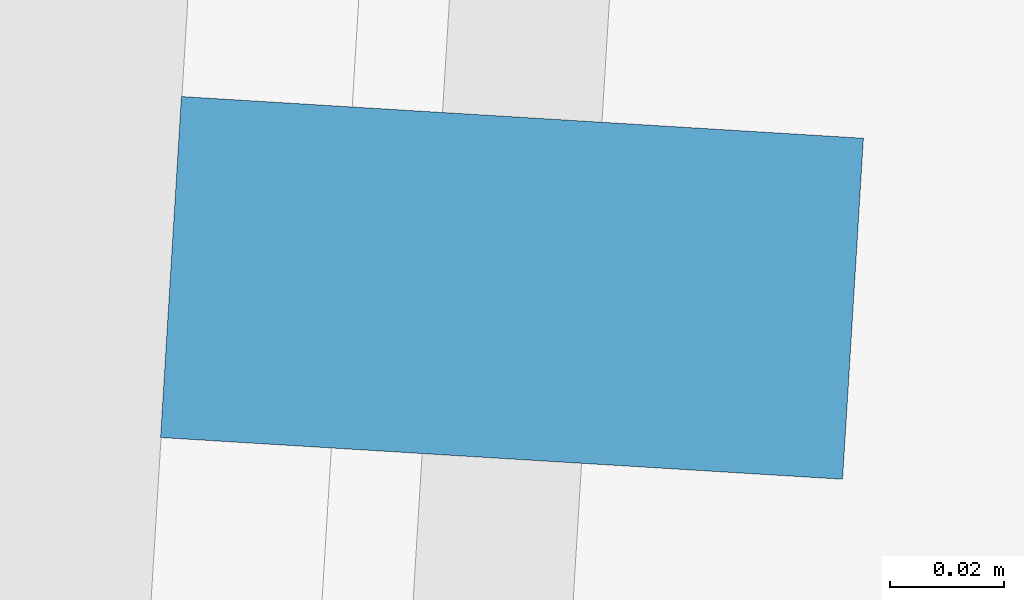
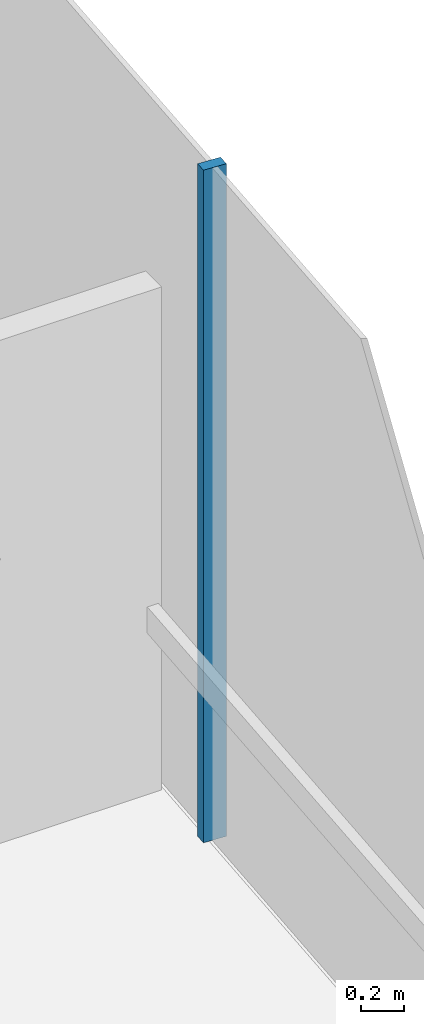
# One storey, part 13 of 22: 1 member, 1 element without a shape of its own.
"""IFC4 building model written with IfcOpenShell, lengths in metres."""

from ifc_helpers import new_model, si_unit, direction, frame, origin, origin_2d, place, context, subcontext, project, spatial, rectangle, extrude, material, layer, layer_set, material_profile, profile_set, type_object, element, aggregate, save


model = new_model("IFC4")

# Units and contexts
model_context = context("Model", 3, precision=1e-05, world=origin(), true_north=direction((0.0, 1.0)))
body_context = subcontext(model_context, "Body", "Model", "MODEL_VIEW")
ifc_project = project(units=[si_unit("LENGTHUNIT", "METRE"), si_unit("AREAUNIT", "SQUARE_METRE"), si_unit("VOLUMEUNIT", "CUBIC_METRE"), si_unit("PLANEANGLEUNIT", "RADIAN"), si_unit("MASSUNIT", "GRAM", prefix="KILO")], contexts=[model_context])

# Site, building, storey
site_placement = place(None, origin())
site = spatial("IfcSite", under=ifc_project, at=site_placement, CompositionType="ELEMENT")
building_placement = place(site_placement, origin())
building = spatial("IfcBuilding", under=site, at=building_placement, Name="Welwitschia Terrace Campus", CompositionType="ELEMENT")
storey_placement = place(building_placement, frame((0.0, 0.0, 155.0)))
storey = spatial("IfcBuildingStorey", under=building, at=storey_placement, Name="L34", CompositionType="ELEMENT", Elevation=155.0)

# Curtain wall, member
ifc_material_1 = material(Name="Bronze anodised aluminium", Category="aluminium")
ifc_layer = layer(ifc_material_1, 0.1201171875)
ifc_layer_set = layer_set([ifc_layer], Name="Bronze anodised aluminium")
curtain_wall_type = type_object("IfcCurtainWallType", Name="Curtain wall CW2 tower 6000", PredefinedType="NOTDEFINED", material=ifc_layer_set)
curtain_wall_placement = place(storey_placement, origin())
curtain_wall = element("IfcCurtainWall", 1, at=curtain_wall_placement, inside=storey, type_object=curtain_wall_type, Name="CW L34.8.0", PredefinedType="NOTDEFINED")
ifc_material_2 = material(Name="Bronze anodised aluminium", Category="aluminium")
ifc_material_profile = material_profile(ifc_material_2, rectangle(XDim=0.1201171875, YDim=0.06005859375, at=origin_2d()))
ifc_profile_set = profile_set([ifc_material_profile], Name="Bronze anodised aluminium")
member_type = type_object("IfcMemberType", Name="Mullion 60x120", PredefinedType="MULLION", material=ifc_profile_set)
member_placement = place(storey_placement, frame((26.1455078125, 44.478759765625, 0.0), z_axis=(0.0, 0.0, 1.0), x_axis=(-0.998134798422, 0.061048539535, 0.0)))
member = element("IfcMember", 2, at=member_placement, type_object=member_type, Name="Mullion L34.8.0.3", PredefinedType="MULLION", context=body_context, shape_type="SweptSolid", body=[
    extrude(rectangle(XDim=0.1201171875, YDim=0.06005859375, at=origin_2d()), origin(), (0.0, 0.0, 1.0), 3.85009765625),
])
aggregate(curtain_wall, [member])

save(model, "model.ifc")
